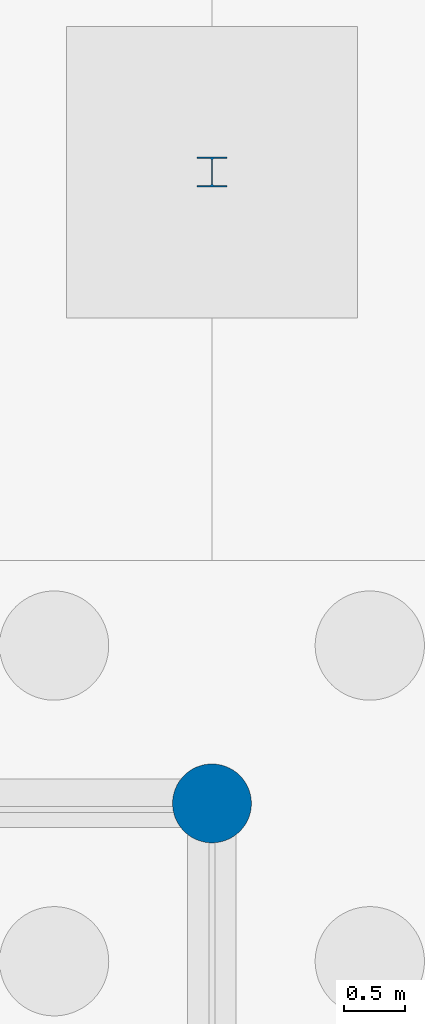
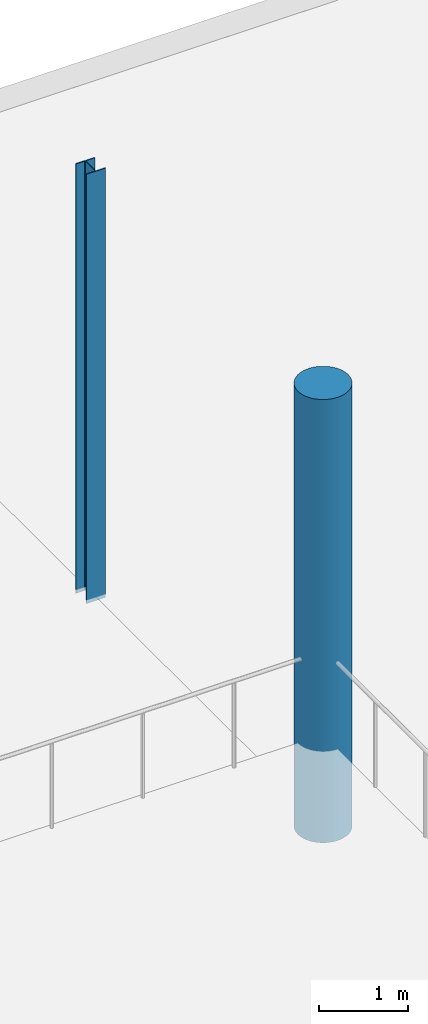
# One storey, part 19 of 72: 2 columns.
"""IFC4 building model written with IfcOpenShell, lengths in metres."""

from ifc_helpers import new_model, si_unit, direction, frame, origin, origin_2d, place, context, subcontext, project, spatial, circle, i_section, extrude, material, material_profile, profile_set, type_object, element, save


model = new_model("IFC4")

# Units and contexts
model_context = context("Model", 3, precision=1e-05, world=origin(), true_north=direction((0.0, 1.0)))
body_context = subcontext(model_context, "Body", "Model", "MODEL_VIEW")
ifc_project = project(units=[si_unit("LENGTHUNIT", "METRE"), si_unit("AREAUNIT", "SQUARE_METRE"), si_unit("VOLUMEUNIT", "CUBIC_METRE"), si_unit("PLANEANGLEUNIT", "RADIAN"), si_unit("MASSUNIT", "GRAM", prefix="KILO"), si_unit("THERMODYNAMICTEMPERATUREUNIT", "KELVIN"), si_unit("POWERUNIT", "WATT")], contexts=[model_context])

# Site, building, storey
site_placement = place(None, origin())
site = spatial("IfcSite", under=ifc_project, at=site_placement, CompositionType="ELEMENT")
building_placement = place(site_placement, origin())
building = spatial("IfcBuilding", under=site, at=building_placement, Name="Kronsvod Quay Wholesale Market", CompositionType="ELEMENT")
storey_placement = place(building_placement, origin())
storey = spatial("IfcBuildingStorey", under=building, at=storey_placement, Name="L00", CompositionType="ELEMENT", Elevation=0.0)

# Columns
ifc_material_1 = material(Name="Precast concrete C40/50", Category="concrete")
ifc_material_profile_1 = material_profile(ifc_material_1, circle(Radius=0.324951171875, at=origin_2d()), Name="PCPIL650D")
ifc_profile_set_1 = profile_set([ifc_material_profile_1], Name="Precast concrete C40/50")
column_type_1 = type_object("IfcColumnType", Name="Col_Pilotis650D", PredefinedType="COLUMN", material=ifc_profile_set_1)
column_1_placement = place(storey_placement, frame((152.0, 126.0, -1.25), z_axis=(0.0, 0.0, 1.0), x_axis=(1.0, 0.0, 0.0)))
element("IfcColumn", 1, at=column_1_placement, inside=storey, type_object=column_type_1, Name="COLG-L00-1520-1260", PredefinedType="COLUMN", context=body_context, shape_type="SweptSolid", body=[
    extrude(circle(Radius=0.324951171875, at=origin_2d()), origin(), (0.0, 0.0, 1.0), 6.050048828125),
])
ifc_material_2 = material(Name="Steel S355", Category="steel")
ifc_material_profile_2 = material_profile(ifc_material_2, i_section(OverallWidth=0.2490234375, OverallDepth=0.24609375, WebThickness=0.008056640625, FlangeThickness=0.011962890625, FilletRadius=0.014892578125, at=origin_2d()), Name="25K1")
ifc_profile_set_2 = profile_set([ifc_material_profile_2], Name="Steel S355")
column_type_2 = type_object("IfcColumnType", Name="Col_Steel25K1", PredefinedType="COLUMN", material=ifc_profile_set_2)
column_2_placement = place(storey_placement, frame((152.0, 131.199951171875, -1.25), z_axis=(0.0, 0.0, 1.0), x_axis=(1.0, 0.0, 0.0)))
element("IfcColumn", 2, at=column_2_placement, inside=storey, type_object=column_type_2, Name="SCOL-CAN-L00-18", PredefinedType="COLUMN", context=body_context, shape_type="SweptSolid", body=[
    extrude(i_section(OverallWidth=0.2490234375, OverallDepth=0.24609375, WebThickness=0.008056640625, FlangeThickness=0.011962890625, FilletRadius=0.014892578125, at=origin_2d()), origin(), (0.0, 0.0, 1.0), 5.860107421875),
])

save(model, "model.ifc")
